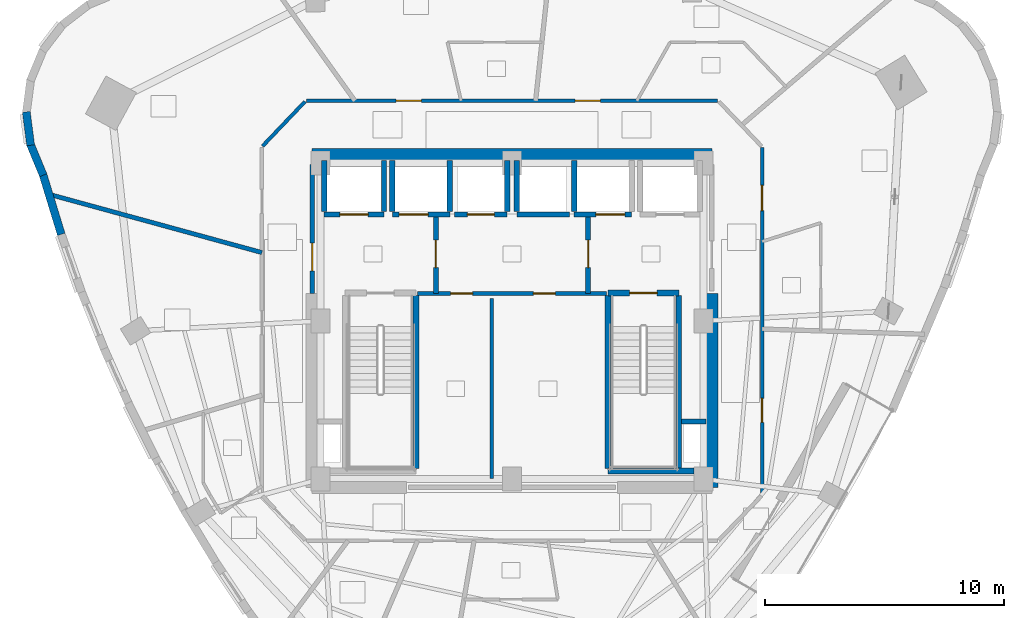
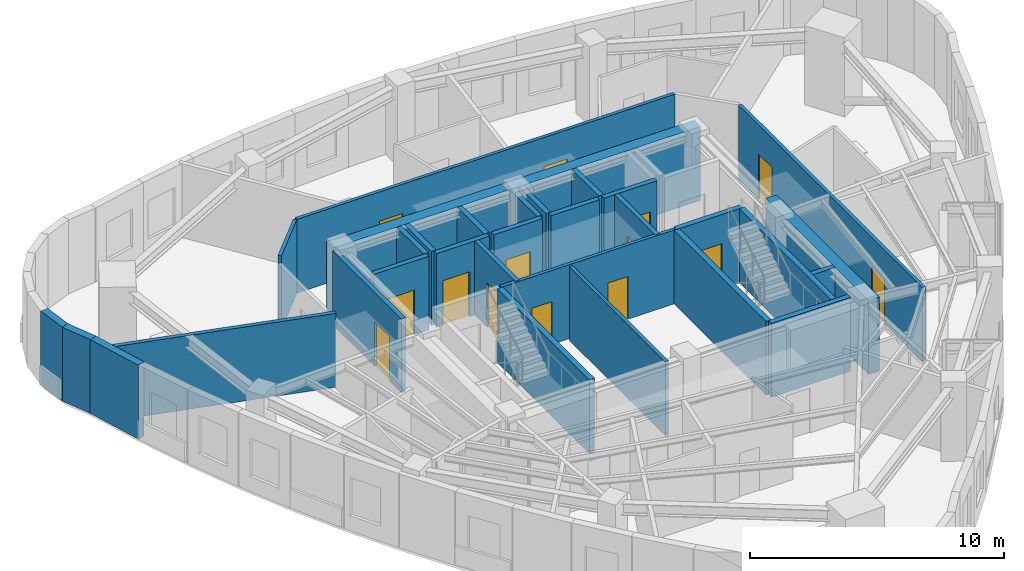
# One storey, part 7 of 12: 32 walls, 14 doors, 14 openings.
"""IFC4 building model written with IfcOpenShell, lengths in metres."""

from ifc_helpers import new_model, si_unit, direction, frame, frame_2d, origin, place, context, subcontext, project, spatial, rectangle, extrude, material, layer, layer_set, type_object, element, fill, save


model = new_model("IFC4")

# Units and contexts
model_context = context("Model", 3, precision=1e-05, world=origin(), true_north=direction((0.0, 1.0)))
body_context = subcontext(model_context, "Body", "Model", "MODEL_VIEW")
ifc_project = project(units=[si_unit("LENGTHUNIT", "METRE"), si_unit("AREAUNIT", "SQUARE_METRE"), si_unit("VOLUMEUNIT", "CUBIC_METRE"), si_unit("PLANEANGLEUNIT", "RADIAN"), si_unit("MASSUNIT", "GRAM", prefix="KILO")], contexts=[model_context])

# Site, building, storey
site_placement = place(None, origin())
site = spatial("IfcSite", under=ifc_project, at=site_placement, CompositionType="ELEMENT")
building_placement = place(site_placement, origin())
building = spatial("IfcBuilding", under=site, at=building_placement, Name="Ndelora Gate Hotel", CompositionType="ELEMENT")
storey_placement = place(building_placement, frame((0.0, 0.0, 213.14990234375)))
storey = spatial("IfcBuildingStorey", under=building, at=storey_placement, Name="L53", CompositionType="ELEMENT", Elevation=213.14990234375)

# Walls
ifc_material_1 = material(Name="Acoustic Double-Stud Gypsum Assembly", Category="gypsum")
ifc_layer_1 = layer(ifc_material_1, 0.179931640625)
ifc_layer_set_1 = layer_set([ifc_layer_1], Name="Acoustic Double-Stud Gypsum Assembly")
wall_type_1 = type_object("IfcWallType", Name="WL-ACOUST-180", PredefinedType="PARTITIONING", material=ifc_layer_set_1)
wall_1_placement = place(storey_placement, frame((-10.449951171875, 2.860107421875, 0.0), z_axis=(0.0, 0.0, 1.0), x_axis=(-0.964534389735, 0.26395721437, 0.0)))
element("IfcWall", 1, at=wall_1_placement, inside=storey, type_object=wall_type_1, Name="L53 Interior Wall IW-3", PredefinedType="PARTITIONING", context=body_context, shape_type="SweptSolid", body=[
    extrude(rectangle(XDim=9.223388671875, YDim=0.179931640625, at=frame_2d((4.61181640625, 0.0))), origin(), (0.0, 0.0, 1.0), 3.550048828125),
])
ifc_material_2 = material(Name="Clay Brick Masonry", Category="masonry")
ifc_layer_2 = layer(ifc_material_2, 0.330078125)
ifc_layer_set_2 = layer_set([ifc_layer_2], Name="Clay Brick Masonry")
wall_type_2 = type_object("IfcWallType", Name="WL-BRICK-330", PredefinedType="SOLIDWALL", material=ifc_layer_set_2)
for number, where, z_axis, x_axis, name in (
    (2, (-20.11279296875, 7.343505859375, 0.0), (0.0, 0.0, 1.0), (-0.130607061093, 0.991434211429, 0.0), "L53 Tower Brick Pier-and-Spandrel Wall TWR-7"),
    (3, (-19.587158203125, 6.091064453125, 0.0), (0.0, 0.0, 1.0), (-0.382668413767, 0.923885753275, 0.0), "L53 Tower Brick Pier-and-Spandrel Wall TWR-8"),
):
    element("IfcWall", number, at=place(storey_placement, frame(where, z_axis=z_axis, x_axis=x_axis)), inside=storey, type_object=wall_type_2, Name=name, PredefinedType="SOLIDWALL", context=body_context, shape_type="SweptSolid", body=[
        extrude(rectangle(XDim=1.407470703125, YDim=0.330078125, at=frame_2d((0.70361328125, 0.0))), origin(), (0.0, 0.0, 1.0), 3.550048828125),
    ])
wall_2_placement = place(storey_placement, frame((-18.83447265625, 3.621337890625, 0.0), z_axis=(0.0, 0.0, 1.0), x_axis=(-0.292416512209, 0.956291055792, 0.0)))
element("IfcWall", 4, at=wall_2_placement, inside=storey, type_object=wall_type_2, Name="L53 Tower Brick Pier-and-Spandrel Wall TWR-9", PredefinedType="SOLIDWALL", context=body_context, shape_type="SweptSolid", body=[
    extrude(rectangle(XDim=2.631591796875, YDim=0.330078125, at=frame_2d((1.31591796875, 0.0))), origin(), (0.0, 0.0, 1.0), 3.550048828125),
])
ifc_material_3 = material(Name="Concrete C50/60", Category="concrete")
ifc_layer_3 = layer(ifc_material_3, 0.5)
ifc_layer_set_3 = layer_set([ifc_layer_3], Name="Concrete C50/60")
wall_type_3 = type_object("IfcWallType", Name="WL-CORE-500", PredefinedType="SHEAR", material=ifc_layer_set_3)
wall_3_placement = place(storey_placement, frame((-8.35009765625, 6.949951171875, 0.0), z_axis=(0.0, 0.0, 1.0), x_axis=(1.0, 0.0, 0.0)))
element("IfcWall", 5, at=wall_3_placement, inside=storey, type_object=wall_type_3, Name="L53 Core Shear Wall N", PredefinedType="SHEAR", context=body_context, shape_type="SweptSolid", body=[
    extrude(rectangle(XDim=16.7001953125, YDim=0.5, at=frame_2d((8.35009765625, 0.0))), origin(), (0.0, 0.0, 1.0), 3.550048828125),
])
wall_4_placement = place(storey_placement, frame((8.35009765625, -6.949951171875, 0.0), z_axis=(0.0, 0.0, 1.0), x_axis=(0.0, 1.0, 0.0)))
element("IfcWall", 6, at=wall_4_placement, inside=storey, type_object=wall_type_3, Name="L53 Core Shear Wall E", PredefinedType="SHEAR", context=body_context, shape_type="SweptSolid", body=[
    extrude(rectangle(XDim=8.099853515625, YDim=0.5, at=frame_2d((4.0498046875, 0.0))), origin(), (0.0, 0.0, 1.0), 3.550048828125),
])

# Wall, opening, door
ifc_material_4 = material(Name="Concrete C40/50", Category="concrete")
ifc_layer_4 = layer(ifc_material_4, 0.199951171875)
ifc_layer_set_4 = layer_set([ifc_layer_4], Name="Concrete C40/50")
wall_type_4 = type_object("IfcWallType", Name="WL-FIRE-200", PredefinedType="PARTITIONING", material=ifc_layer_set_4)
wall_5_placement = place(storey_placement, frame((-3.179931640625, 1.14990234375, 0.0), z_axis=(0.0, 0.0, 1.0), x_axis=(0.0, 1.0, 0.0)))
wall_5 = element("IfcWall", 7, at=wall_5_placement, inside=storey, type_object=wall_type_4, Name="L53 Interior Wall IW-2", PredefinedType="PARTITIONING", context=body_context, shape_type="SweptSolid", body=[
    extrude(rectangle(XDim=3.300048828125, YDim=0.199951171875, at=frame_2d((1.64990234375, 0.0))), origin(), (0.0, 0.0, 1.0), 3.550048828125),
])
opening_1_placement = place(wall_5_placement, frame((1.080078125, 0.0, 0.0)))
opening_1 = element("IfcOpeningElement", 8, at=opening_1_placement, cuts=wall_5, Name="Opening FD1", PredefinedType="OPENING", context=body_context, shape_type="SweptSolid", body=[
    extrude(rectangle(XDim=1.14990234375, YDim=2.14990234375, at=frame_2d((0.574951171875, 1.074951171875))), frame((0.0, 0.10986328125, 0.0), z_axis=(0.0, -1.0, 0.0), x_axis=(1.0, 0.0, 0.0)), (0.0, 0.0, 1.0), 0.219970703125),
])
ifc_material_5 = material(Name="Fire-Rated Timber-Veneer Steel Core", Category="steel")
door_type_1 = type_object("IfcDoorType", Name="DR-FD60", OperationType="SINGLE_SWING_LEFT", PredefinedType="DOOR", material=ifc_material_5)
door_1_placement = place(opening_1_placement, origin())
door_1 = element("IfcDoor", 9, at=door_1_placement, inside=storey, type_object=door_type_1, Name="L53 Firefighting Lobby West Door", OperationType="SINGLE_SWING_RIGHT", OverallHeight=2.14990234375, OverallWidth=1.14990234375, PredefinedType="DOOR", context=body_context, shape_type="SweptSolid", body=[
    extrude(rectangle(XDim=1.14990234375, YDim=2.14990234375, at=frame_2d((0.574951171875, 1.074951171875))), frame((0.0, 0.02490234375, 0.0), z_axis=(0.0, -1.0, 0.0), x_axis=(1.0, 0.0, 0.0)), (0.0, 0.0, 1.0), 0.050048828125),
])
fill(opening_1, door_1)

wall_6_placement = place(storey_placement, frame((3.179931640625, 1.14990234375, 0.0), z_axis=(0.0, 0.0, 1.0), x_axis=(0.0, 1.0, 0.0)))
wall_6 = element("IfcWall", 10, at=wall_6_placement, inside=storey, type_object=wall_type_4, Name="L53 Interior Wall IW-2", PredefinedType="PARTITIONING", context=body_context, shape_type="SweptSolid", body=[
    extrude(rectangle(XDim=3.300048828125, YDim=0.199951171875, at=frame_2d((1.64990234375, 0.0))), origin(), (0.0, 0.0, 1.0), 3.550048828125),
])
opening_2_placement = place(wall_6_placement, frame((1.080078125, 0.0, 0.0)))
opening_2 = element("IfcOpeningElement", 11, at=opening_2_placement, cuts=wall_6, Name="Opening FD1", PredefinedType="OPENING", context=body_context, shape_type="SweptSolid", body=[
    extrude(rectangle(XDim=1.14990234375, YDim=2.14990234375, at=frame_2d((0.574951171875, 1.074951171875))), frame((0.0, 0.10986328125, 0.0), z_axis=(0.0, -1.0, 0.0), x_axis=(1.0, 0.0, 0.0)), (0.0, 0.0, 1.0), 0.219970703125),
])
door_2_placement = place(opening_2_placement, origin())
door_2 = element("IfcDoor", 12, at=door_2_placement, inside=storey, type_object=door_type_1, Name="L53 Firefighting Lobby East Door", OperationType="SINGLE_SWING_LEFT", OverallHeight=2.14990234375, OverallWidth=1.14990234375, PredefinedType="DOOR", context=body_context, shape_type="SweptSolid", body=[
    extrude(rectangle(XDim=1.14990234375, YDim=2.14990234375, at=frame_2d((0.574951171875, 1.074951171875))), frame((0.0, 0.02490234375, 0.0), z_axis=(0.0, -1.0, 0.0), x_axis=(1.0, 0.0, 0.0)), (0.0, 0.0, 1.0), 0.050048828125),
])
fill(opening_2, door_2)

wall_7_placement = place(storey_placement, frame((-8.35009765625, 1.14990234375, 0.0), z_axis=(0.0, 0.0, 1.0), x_axis=(0.0, 1.0, 0.0)))
wall_7 = element("IfcWall", 13, at=wall_7_placement, inside=storey, type_object=wall_type_4, Name="L53 Interior Wall IW-2", PredefinedType="PARTITIONING", context=body_context, shape_type="SweptSolid", body=[
    extrude(rectangle(XDim=5.400146484375, YDim=0.199951171875, at=frame_2d((2.7001953125, 0.0))), origin(), (0.0, 0.0, 1.0), 3.550048828125),
])
opening_3_placement = place(wall_7_placement, frame((0.949951171875, 0.0, 0.0)))
opening_3 = element("IfcOpeningElement", 14, at=opening_3_placement, cuts=wall_7, Name="Opening FD1", PredefinedType="OPENING", context=body_context, shape_type="SweptSolid", body=[
    extrude(rectangle(XDim=1.14990234375, YDim=2.14990234375, at=frame_2d((0.574951171875, 1.074951171875))), frame((0.0, 0.10986328125, 0.0), z_axis=(0.0, -1.0, 0.0), x_axis=(1.0, 0.0, 0.0)), (0.0, 0.0, 1.0), 0.219970703125),
])
door_3_placement = place(opening_3_placement, origin())
door_3 = element("IfcDoor", 15, at=door_3_placement, inside=storey, type_object=door_type_1, Name="L53 Firefighting Lobby West Corridor Door", OperationType="SINGLE_SWING_LEFT", OverallHeight=2.14990234375, OverallWidth=1.14990234375, PredefinedType="DOOR", context=body_context, shape_type="SweptSolid", body=[
    extrude(rectangle(XDim=1.14990234375, YDim=2.14990234375, at=frame_2d((0.574951171875, 1.074951171875))), frame((0.0, 0.02490234375, 0.0), z_axis=(0.0, -1.0, 0.0), x_axis=(1.0, 0.0, 0.0)), (0.0, 0.0, 1.0), 0.050048828125),
])
fill(opening_3, door_3)

# Wall, openings, doors
ifc_material_6 = material(Name="Fire-Rated Gypsum Stud Partition", Category="gypsum")
ifc_layer_5 = layer(ifc_material_6, 0.14990234375)
ifc_layer_set_5 = layer_set([ifc_layer_5], Name="Fire-Rated Gypsum Stud Partition")
wall_type_5 = type_object("IfcWallType", Name="WL-PART-150", PredefinedType="PARTITIONING", material=ifc_layer_set_5)
wall_8_placement = place(storey_placement, frame((3.949951171875, 1.14990234375, 0.0), z_axis=(0.0, 0.0, 1.0), x_axis=(-1.0, 0.0, 0.0)))
wall_8 = element("IfcWall", 16, at=wall_8_placement, inside=storey, type_object=wall_type_5, Name="L53 Interior Wall IW-5", PredefinedType="PARTITIONING", context=body_context, shape_type="SweptSolid", body=[
    extrude(rectangle(XDim=7.89990234375, YDim=0.14990234375, at=frame_2d((3.949951171875, 0.0))), origin(), (0.0, 0.0, 1.0), 3.550048828125),
])
opening_4_placement = place(wall_8_placement, frame((5.590087890625, 0.0, 0.0)))
opening_4 = element("IfcOpeningElement", 17, at=opening_4_placement, cuts=wall_8, Name="Opening D04", PredefinedType="OPENING", context=body_context, shape_type="SweptSolid", body=[
    extrude(rectangle(XDim=0.919921875, YDim=2.050048828125, at=frame_2d((0.4599609375, 1.02490234375))), frame((0.0, 0.0849609375, 0.0), z_axis=(0.0, -1.0, 0.0), x_axis=(1.0, 0.0, 0.0)), (0.0, 0.0, 1.0), 0.169921875),
])
opening_5_placement = place(wall_8_placement, frame((2.139892578125, 0.0, 0.0)))
opening_5 = element("IfcOpeningElement", 18, at=opening_5_placement, cuts=wall_8, Name="Opening D04", PredefinedType="OPENING", context=body_context, shape_type="SweptSolid", body=[
    extrude(rectangle(XDim=0.919921875, YDim=2.050048828125, at=frame_2d((0.4599609375, 1.02490234375))), frame((0.0, 0.0849609375, 0.0), z_axis=(0.0, -1.0, 0.0), x_axis=(1.0, 0.0, 0.0)), (0.0, 0.0, 1.0), 0.169921875),
])
ifc_material_7 = material(Name="Painted Steel Core Service Door", Category="steel")
door_type_2 = type_object("IfcDoorType", Name="DR-SER-920", OperationType="SINGLE_SWING_LEFT", PredefinedType="DOOR", material=ifc_material_7)
door_4_placement = place(opening_4_placement, origin())
door_4 = element("IfcDoor", 19, at=door_4_placement, inside=storey, type_object=door_type_2, Name="L53 Core Electrical Switchroom Door", OperationType="SINGLE_SWING_LEFT", OverallHeight=2.050048828125, OverallWidth=0.919921875, PredefinedType="DOOR", context=body_context, shape_type="SweptSolid", body=[
    extrude(rectangle(XDim=0.919921875, YDim=2.050048828125, at=frame_2d((0.4599609375, 1.02490234375))), frame((0.0, 0.02490234375, 0.0), z_axis=(0.0, -1.0, 0.0), x_axis=(1.0, 0.0, 0.0)), (0.0, 0.0, 1.0), 0.050048828125),
])
fill(opening_4, door_4)
door_5_placement = place(opening_5_placement, origin())
door_5 = element("IfcDoor", 20, at=door_5_placement, inside=storey, type_object=door_type_2, Name="L53 Central Linen Equipment Store Door", OperationType="SINGLE_SWING_RIGHT", OverallHeight=2.050048828125, OverallWidth=0.919921875, PredefinedType="DOOR", context=body_context, shape_type="SweptSolid", body=[
    extrude(rectangle(XDim=0.919921875, YDim=2.050048828125, at=frame_2d((0.4599609375, 1.02490234375))), frame((0.0, 0.02490234375, 0.0), z_axis=(0.0, -1.0, 0.0), x_axis=(1.0, 0.0, 0.0)), (0.0, 0.0, 1.0), 0.050048828125),
])
fill(opening_5, door_5)

# Wall
wall_9_placement = place(storey_placement, frame((-0.85009765625, -6.580078125, 0.0), z_axis=(0.0, 0.0, 1.0), x_axis=(0.0, 1.0, 0.0)))
element("IfcWall", 21, at=wall_9_placement, inside=storey, type_object=wall_type_5, Name="L53 Interior Wall IW-5", PredefinedType="PARTITIONING", context=body_context, shape_type="SweptSolid", body=[
    extrude(rectangle(XDim=7.530029296875, YDim=0.14990234375, at=frame_2d((3.76513671875, 0.0))), origin(), (0.0, 0.0, 1.0), 3.550048828125),
])

# Wall, openings, doors
wall_10_placement = place(storey_placement, frame((10.449951171875, 7.239990234375, 0.0), z_axis=(0.0, 0.0, 1.0), x_axis=(0.0, -1.0, 0.0)))
wall_10 = element("IfcWall", 22, at=wall_10_placement, inside=storey, type_object=wall_type_5, Name="L53 Interior Wall IW-5", PredefinedType="PARTITIONING", context=body_context, shape_type="SweptSolid", body=[
    extrude(rectangle(XDim=14.47998046875, YDim=0.14990234375, at=frame_2d((7.239990234375, 0.0))), origin(), (0.0, 0.0, 1.0), 3.550048828125),
])
opening_6_placement = place(wall_10_placement, frame((10.4775390625, 0.0, 0.0)))
opening_6 = element("IfcOpeningElement", 23, at=opening_6_placement, cuts=wall_10, Name="Opening D01", PredefinedType="OPENING", context=body_context, shape_type="SweptSolid", body=[
    extrude(rectangle(XDim=1.0, YDim=2.14990234375, at=frame_2d((0.5, 1.074951171875))), frame((0.0, 0.0849609375, 0.0), z_axis=(0.0, -1.0, 0.0), x_axis=(1.0, 0.0, 0.0)), (0.0, 0.0, 1.0), 0.169921875),
])
opening_7_placement = place(wall_10_placement, frame((1.56982421875, 0.0, 0.0)))
opening_7 = element("IfcOpeningElement", 24, at=opening_7_placement, cuts=wall_10, Name="Opening D07", PredefinedType="OPENING", context=body_context, shape_type="SweptSolid", body=[
    extrude(rectangle(XDim=1.06005859375, YDim=2.14990234375, at=frame_2d((0.530029296875, 1.074951171875))), frame((0.0, 0.0849609375, 0.0), z_axis=(0.0, -1.0, 0.0), x_axis=(1.0, 0.0, 0.0)), (0.0, 0.0, 1.0), 0.169921875),
])
ifc_material_8 = material(Name="Acoustic Hardwood Guest Entrance Door", Category="wood")
door_type_3 = type_object("IfcDoorType", Name="DR-COR-1000", OperationType="SINGLE_SWING_LEFT", PredefinedType="DOOR", material=ifc_material_8)
door_6_placement = place(opening_6_placement, origin())
door_6 = element("IfcDoor", 25, at=door_6_placement, inside=storey, type_object=door_type_3, Name="L53 Sky Garden Tea Dining Room Entrance Door", OperationType="SINGLE_SWING_LEFT", OverallHeight=2.14990234375, OverallWidth=1.0, PredefinedType="DOOR", context=body_context, shape_type="SweptSolid", body=[
    extrude(rectangle(XDim=1.0, YDim=2.14990234375, at=frame_2d((0.5, 1.074951171875))), frame((0.0, 0.02490234375, 0.0), z_axis=(0.0, -1.0, 0.0), x_axis=(1.0, 0.0, 0.0)), (0.0, 0.0, 1.0), 0.050048828125),
])
fill(opening_6, door_6)
ifc_material_9 = material(Name="Diplomatic Suite Acoustic Entrance Door", Category="wood")
door_type_4 = type_object("IfcDoorType", Name="DR-SUITE-1060", OperationType="SINGLE_SWING_LEFT", PredefinedType="DOOR", material=ifc_material_9)
door_7_placement = place(opening_7_placement, origin())
door_7 = element("IfcDoor", 26, at=door_7_placement, inside=storey, type_object=door_type_4, Name="L53 Panoramic King Suite 5602 Entrance Door", OperationType="SINGLE_SWING_LEFT", OverallHeight=2.14990234375, OverallWidth=1.06005859375, PredefinedType="DOOR", context=body_context, shape_type="SweptSolid", body=[
    extrude(rectangle(XDim=1.06005859375, YDim=2.14990234375, at=frame_2d((0.530029296875, 1.074951171875))), frame((0.0, 0.02490234375, 0.0), z_axis=(0.0, -1.0, 0.0), x_axis=(1.0, 0.0, 0.0)), (0.0, 0.0, 1.0), 0.050048828125),
])
fill(opening_7, door_7)

wall_11_placement = place(storey_placement, frame((-8.580078125, 9.199951171875, 0.0), z_axis=(0.0, 0.0, 1.0), x_axis=(1.0, 0.0, 0.0)))
wall_11 = element("IfcWall", 27, at=wall_11_placement, inside=storey, type_object=wall_type_5, Name="L53 Interior Wall IW-5", PredefinedType="PARTITIONING", context=body_context, shape_type="SweptSolid", body=[
    extrude(rectangle(XDim=17.16015625, YDim=0.14990234375, at=frame_2d((8.580078125, 0.0))), origin(), (0.0, 0.0, 1.0), 3.550048828125),
])
opening_8_placement = place(wall_11_placement, frame((3.734375, 0.0, 0.0)))
opening_8 = element("IfcOpeningElement", 28, at=opening_8_placement, cuts=wall_11, Name="Opening D07", PredefinedType="OPENING", context=body_context, shape_type="SweptSolid", body=[
    extrude(rectangle(XDim=1.06005859375, YDim=2.14990234375, at=frame_2d((0.530029296875, 1.074951171875))), frame((0.0, 0.0849609375, 0.0), z_axis=(0.0, -1.0, 0.0), x_axis=(1.0, 0.0, 0.0)), (0.0, 0.0, 1.0), 0.169921875),
])
opening_9_placement = place(wall_11_placement, frame((11.21435546875, 0.0, 0.0)))
opening_9 = element("IfcOpeningElement", 29, at=opening_9_placement, cuts=wall_11, Name="Opening D07", PredefinedType="OPENING", context=body_context, shape_type="SweptSolid", body=[
    extrude(rectangle(XDim=1.06005859375, YDim=2.14990234375, at=frame_2d((0.530029296875, 1.074951171875))), frame((0.0, 0.0849609375, 0.0), z_axis=(0.0, -1.0, 0.0), x_axis=(1.0, 0.0, 0.0)), (0.0, 0.0, 1.0), 0.169921875),
])
door_8_placement = place(opening_8_placement, origin())
door_8 = element("IfcDoor", 30, at=door_8_placement, inside=storey, type_object=door_type_4, Name="L53 Panoramic Twin Suite 5604 Entrance Door", OperationType="SINGLE_SWING_RIGHT", OverallHeight=2.14990234375, OverallWidth=1.06005859375, PredefinedType="DOOR", context=body_context, shape_type="SweptSolid", body=[
    extrude(rectangle(XDim=1.06005859375, YDim=2.14990234375, at=frame_2d((0.530029296875, 1.074951171875))), frame((0.0, 0.02490234375, 0.0), z_axis=(0.0, -1.0, 0.0), x_axis=(1.0, 0.0, 0.0)), (0.0, 0.0, 1.0), 0.050048828125),
])
fill(opening_8, door_8)
door_9_placement = place(opening_9_placement, origin())
door_9 = element("IfcDoor", 31, at=door_9_placement, inside=storey, type_object=door_type_4, Name="L53 Royal Ambassador Suite 5603 Entrance Door", OperationType="SINGLE_SWING_RIGHT", OverallHeight=2.14990234375, OverallWidth=1.06005859375, PredefinedType="DOOR", context=body_context, shape_type="SweptSolid", body=[
    extrude(rectangle(XDim=1.06005859375, YDim=2.14990234375, at=frame_2d((0.530029296875, 1.074951171875))), frame((0.0, 0.02490234375, 0.0), z_axis=(0.0, -1.0, 0.0), x_axis=(1.0, 0.0, 0.0)), (0.0, 0.0, 1.0), 0.050048828125),
])
fill(opening_9, door_9)

# Walls
wall_12_placement = place(storey_placement, frame((-10.42236328125, 7.30908203125, 0.0), z_axis=(0.0, 0.0, 1.0), x_axis=(0.689960858356, 0.723846678473, 0.0)))
element("IfcWall", 32, at=wall_12_placement, inside=storey, type_object=wall_type_5, Name="L53 Interior Wall IW-5", PredefinedType="PARTITIONING", context=body_context, shape_type="SweptSolid", body=[
    extrude(rectangle(XDim=2.572021484375, YDim=0.14990234375, at=frame_2d((1.2861328125, 0.0))), origin(), (0.0, 0.0, 1.0), 3.550048828125),
])
ifc_layer_6 = layer(ifc_material_4, 0.219970703125)
ifc_layer_set_6 = layer_set([ifc_layer_6], Name="Concrete C40/50")
wall_type_6 = type_object("IfcWallType", Name="WL-SHAFT-220", PredefinedType="PARTITIONING", material=ifc_layer_set_6)
wall_13_placement = place(storey_placement, frame((7.090087890625, -4.199951171875, 0.0), z_axis=(0.0, 0.0, 1.0), x_axis=(1.0, 0.0, 0.0)))
element("IfcWall", 33, at=wall_13_placement, inside=storey, type_object=wall_type_6, Name="L53 Interior Wall IW-1", PredefinedType="PARTITIONING", context=body_context, shape_type="SweptSolid", body=[
    extrude(rectangle(XDim=1.010009765625, YDim=0.219970703125, at=frame_2d((0.5048828125, 0.0))), origin(), (0.0, 0.0, 1.0), 3.550048828125),
])

# Wall, opening, door
wall_14_placement = place(storey_placement, frame((-7.85009765625, 4.449951171875, 0.0), z_axis=(0.0, 0.0, 1.0), x_axis=(1.0, 0.0, 0.0)))
wall_14 = element("IfcWall", 34, at=wall_14_placement, inside=storey, type_object=wall_type_6, Name="L53 Interior Wall IW-1", PredefinedType="PARTITIONING", context=body_context, shape_type="SweptSolid", body=[
    extrude(rectangle(XDim=2.5, YDim=0.219970703125, at=frame_2d((1.25, 0.0))), origin(), (0.0, 0.0, 1.0), 3.550048828125),
])
opening_10_placement = place(wall_14_placement, frame((0.659912109375, 0.0, 0.0)))
opening_10 = element("IfcOpeningElement", 35, at=opening_10_placement, cuts=wall_14, Name="Opening LD5", PredefinedType="OPENING", context=body_context, shape_type="SweptSolid", body=[
    extrude(rectangle(XDim=1.179931640625, YDim=2.14990234375, at=frame_2d((0.58984375, 1.074951171875))), frame((0.0, 0.1201171875, 0.0), z_axis=(0.0, -1.0, 0.0), x_axis=(1.0, 0.0, 0.0)), (0.0, 0.0, 1.0), 0.239990234375),
])
ifc_material_10 = material(Name="Firefighting Lift Stainless Sliding Landing Door", Category="metal")
door_type_5 = type_object("IfcDoorType", Name="DR-LD5", OperationType="DOUBLE_DOOR_SLIDING", PredefinedType="DOOR", material=ifc_material_10)
door_10_placement = place(opening_10_placement, origin())
door_10 = element("IfcDoor", 36, at=door_10_placement, inside=storey, type_object=door_type_5, Name="L53 Lift Landing Sliding Door FFL1", OperationType="DOUBLE_DOOR_SLIDING", OverallHeight=2.14990234375, OverallWidth=1.179931640625, PredefinedType="DOOR", context=body_context, shape_type="SweptSolid", body=[
    extrude(rectangle(XDim=1.179931640625, YDim=2.14990234375, at=frame_2d((0.58984375, 1.074951171875))), frame((0.0, 0.02490234375, 0.0), z_axis=(0.0, -1.0, 0.0), x_axis=(1.0, 0.0, 0.0)), (0.0, 0.0, 1.0), 0.050048828125),
])
fill(opening_10, door_10)

# Walls
wall_15_placement = place(storey_placement, frame((-7.85009765625, 4.570068359375, 0.0), z_axis=(0.0, 0.0, 1.0), x_axis=(0.0, 1.0, 0.0)))
element("IfcWall", 37, at=wall_15_placement, inside=storey, type_object=wall_type_6, Name="L53 Interior Wall IW-1", PredefinedType="PARTITIONING", context=body_context, shape_type="SweptSolid", body=[
    extrude(rectangle(XDim=2.1298828125, YDim=0.219970703125, at=frame_2d((1.06494140625, 0.0))), origin(), (0.0, 0.0, 1.0), 3.18017578125),
])
wall_16_placement = place(storey_placement, frame((-5.35009765625, 4.570068359375, 0.0), z_axis=(0.0, 0.0, 1.0), x_axis=(0.0, 1.0, 0.0)))
element("IfcWall", 38, at=wall_16_placement, inside=storey, type_object=wall_type_6, Name="L53 Interior Wall IW-1", PredefinedType="PARTITIONING", context=body_context, shape_type="SweptSolid", body=[
    extrude(rectangle(XDim=2.1298828125, YDim=0.219970703125, at=frame_2d((1.06494140625, 0.0))), origin(), (0.0, 0.0, 1.0), 3.550048828125),
])

# Wall, opening, door
wall_17_placement = place(storey_placement, frame((-5.0, 4.449951171875, 0.0), z_axis=(0.0, 0.0, 1.0), x_axis=(1.0, 0.0, 0.0)))
wall_17 = element("IfcWall", 39, at=wall_17_placement, inside=storey, type_object=wall_type_6, Name="L53 Interior Wall IW-1", PredefinedType="PARTITIONING", context=body_context, shape_type="SweptSolid", body=[
    extrude(rectangle(XDim=2.39990234375, YDim=0.219970703125, at=frame_2d((1.199951171875, 0.0))), origin(), (0.0, 0.0, 1.0), 3.550048828125),
])
opening_11_placement = place(wall_17_placement, frame((0.280029296875, 0.0, 0.0)))
opening_11 = element("IfcOpeningElement", 40, at=opening_11_placement, cuts=wall_17, Name="Opening LD6", PredefinedType="OPENING", context=body_context, shape_type="SweptSolid", body=[
    extrude(rectangle(XDim=1.219970703125, YDim=2.14990234375, at=frame_2d((0.60986328125, 1.074951171875))), frame((0.0, 0.1201171875, 0.0), z_axis=(0.0, -1.0, 0.0), x_axis=(1.0, 0.0, 0.0)), (0.0, 0.0, 1.0), 0.239990234375),
])
ifc_material_11 = material(Name="Heavy-Duty Service Lift Sliding Landing Door", Category="wood")
door_type_6 = type_object("IfcDoorType", Name="DR-LD6", OperationType="DOUBLE_DOOR_SLIDING", PredefinedType="DOOR", material=ifc_material_11)
door_11_placement = place(opening_11_placement, origin())
door_11 = element("IfcDoor", 41, at=door_11_placement, inside=storey, type_object=door_type_6, Name="L53 Lift Landing Sliding Door SVL1", OperationType="DOUBLE_DOOR_SLIDING", OverallHeight=2.14990234375, OverallWidth=1.219970703125, PredefinedType="DOOR", context=body_context, shape_type="SweptSolid", body=[
    extrude(rectangle(XDim=1.219970703125, YDim=2.14990234375, at=frame_2d((0.60986328125, 1.074951171875))), frame((0.0, 0.02490234375, 0.0), z_axis=(0.0, -1.0, 0.0), x_axis=(1.0, 0.0, 0.0)), (0.0, 0.0, 1.0), 0.050048828125),
])
fill(opening_11, door_11)

# Walls
for number, where, z_axis, x_axis, name in (
    (42, (-5.0, 4.570068359375, 0.0), (0.0, 0.0, 1.0), (0.0, 1.0, 0.0), "L53 Interior Wall IW-1"),
    (43, (-2.60009765625, 4.570068359375, 0.0), (0.0, 0.0, 1.0), (0.0, 1.0, 0.0), "L53 Interior Wall IW-1"),
):
    element("IfcWall", number, at=place(storey_placement, frame(where, z_axis=z_axis, x_axis=x_axis)), inside=storey, type_object=wall_type_6, Name=name, PredefinedType="PARTITIONING", context=body_context, shape_type="SweptSolid", body=[
        extrude(rectangle(XDim=2.1298828125, YDim=0.219970703125, at=frame_2d((1.06494140625, 0.0))), origin(), (0.0, 0.0, 1.0), 3.550048828125),
    ])

# Wall, opening, door
wall_18_placement = place(storey_placement, frame((2.60009765625, 4.449951171875, 0.0), z_axis=(0.0, 0.0, 1.0), x_axis=(1.0, 0.0, 0.0)))
wall_18 = element("IfcWall", 44, at=wall_18_placement, inside=storey, type_object=wall_type_6, Name="L53 Interior Wall IW-1", PredefinedType="PARTITIONING", context=body_context, shape_type="SweptSolid", body=[
    extrude(rectangle(XDim=2.39990234375, YDim=0.219970703125, at=frame_2d((1.199951171875, 0.0))), origin(), (0.0, 0.0, 1.0), 3.550048828125),
])
opening_12_placement = place(wall_18_placement, frame((0.89990234375, 0.0, 0.0)))
opening_12 = element("IfcOpeningElement", 45, at=opening_12_placement, cuts=wall_18, Name="Opening LD6", PredefinedType="OPENING", context=body_context, shape_type="SweptSolid", body=[
    extrude(rectangle(XDim=1.219970703125, YDim=2.14990234375, at=frame_2d((0.60986328125, 1.074951171875))), frame((0.0, 0.1201171875, 0.0), z_axis=(0.0, -1.0, 0.0), x_axis=(1.0, 0.0, 0.0)), (0.0, 0.0, 1.0), 0.239990234375),
])
door_12_placement = place(opening_12_placement, origin())
door_12 = element("IfcDoor", 46, at=door_12_placement, inside=storey, type_object=door_type_6, Name="L53 Lift Landing Sliding Door SVL2", OperationType="DOUBLE_DOOR_SLIDING", OverallHeight=2.14990234375, OverallWidth=1.219970703125, PredefinedType="DOOR", context=body_context, shape_type="SweptSolid", body=[
    extrude(rectangle(XDim=1.219970703125, YDim=2.14990234375, at=frame_2d((0.60986328125, 1.074951171875))), frame((0.0, 0.02490234375, 0.0), z_axis=(0.0, -1.0, 0.0), x_axis=(1.0, 0.0, 0.0)), (0.0, 0.0, 1.0), 0.050048828125),
])
fill(opening_12, door_12)

# Wall
wall_19_placement = place(storey_placement, frame((2.60009765625, 4.570068359375, 0.0), z_axis=(0.0, 0.0, 1.0), x_axis=(0.0, 1.0, 0.0)))
element("IfcWall", 47, at=wall_19_placement, inside=storey, type_object=wall_type_6, Name="L53 Interior Wall IW-1", PredefinedType="PARTITIONING", context=body_context, shape_type="SweptSolid", body=[
    extrude(rectangle(XDim=2.1298828125, YDim=0.219970703125, at=frame_2d((1.06494140625, 0.0))), origin(), (0.0, 0.0, 1.0), 3.550048828125),
])

# Wall, opening, door
wall_20_placement = place(storey_placement, frame((-2.39990234375, 4.449951171875, 0.0), z_axis=(0.0, 0.0, 1.0), x_axis=(1.0, 0.0, 0.0)))
wall_20 = element("IfcWall", 48, at=wall_20_placement, inside=storey, type_object=wall_type_6, Name="L53 Interior Wall IW-1", PredefinedType="PARTITIONING", context=body_context, shape_type="SweptSolid", body=[
    extrude(rectangle(XDim=2.199951171875, YDim=0.219970703125, at=frame_2d((1.10009765625, 0.0))), origin(), (0.0, 0.0, 1.0), 3.550048828125),
])
opening_13_placement = place(wall_20_placement, frame((0.5400390625, 0.0, 0.0)))
opening_13 = element("IfcOpeningElement", 49, at=opening_13_placement, cuts=wall_20, Name="Opening LD3", PredefinedType="OPENING", context=body_context, shape_type="SweptSolid", body=[
    extrude(rectangle(XDim=1.1201171875, YDim=2.14990234375, at=frame_2d((0.56005859375, 1.074951171875))), frame((0.0, 0.1201171875, 0.0), z_axis=(0.0, -1.0, 0.0), x_axis=(1.0, 0.0, 0.0)), (0.0, 0.0, 1.0), 0.239990234375),
])
ifc_material_12 = material(Name="Brushed Bronze Stainless Lift Landing Door", Category="metal")
door_type_7 = type_object("IfcDoorType", Name="DR-LD3", OperationType="DOUBLE_DOOR_SLIDING", PredefinedType="DOOR", material=ifc_material_12)
door_13_placement = place(opening_13_placement, origin())
door_13 = element("IfcDoor", 50, at=door_13_placement, inside=storey, type_object=door_type_7, Name="L53 Lift Landing Sliding Door P3A", OperationType="DOUBLE_DOOR_SLIDING", OverallHeight=2.14990234375, OverallWidth=1.1201171875, PredefinedType="DOOR", context=body_context, shape_type="SweptSolid", body=[
    extrude(rectangle(XDim=1.1201171875, YDim=2.14990234375, at=frame_2d((0.56005859375, 1.074951171875))), frame((0.0, 0.02490234375, 0.0), z_axis=(0.0, -1.0, 0.0), x_axis=(1.0, 0.0, 0.0)), (0.0, 0.0, 1.0), 0.050048828125),
])
fill(opening_13, door_13)

# Walls
wall_21_placement = place(storey_placement, frame((-0.199951171875, 4.570068359375, 0.0), z_axis=(0.0, 0.0, 1.0), x_axis=(0.0, 1.0, 0.0)))
element("IfcWall", 51, at=wall_21_placement, inside=storey, type_object=wall_type_6, Name="L53 Interior Wall IW-1", PredefinedType="PARTITIONING", context=body_context, shape_type="SweptSolid", body=[
    extrude(rectangle(XDim=2.1298828125, YDim=0.219970703125, at=frame_2d((1.06494140625, 0.0))), origin(), (0.0, 0.0, 1.0), 3.550048828125),
])
wall_22_placement = place(storey_placement, frame((0.199951171875, 4.449951171875, 0.0), z_axis=(0.0, 0.0, 1.0), x_axis=(1.0, 0.0, 0.0)))
element("IfcWall", 52, at=wall_22_placement, inside=storey, type_object=wall_type_6, Name="L53 Interior Wall IW-1", PredefinedType="PARTITIONING", context=body_context, shape_type="SweptSolid", body=[
    extrude(rectangle(XDim=2.199951171875, YDim=0.219970703125, at=frame_2d((1.10009765625, 0.0))), origin(), (0.0, 0.0, 1.0), 3.550048828125),
])
wall_23_placement = place(storey_placement, frame((0.199951171875, 4.570068359375, 0.0), z_axis=(0.0, 0.0, 1.0), x_axis=(0.0, 1.0, 0.0)))
element("IfcWall", 53, at=wall_23_placement, inside=storey, type_object=wall_type_6, Name="L53 Interior Wall IW-1", PredefinedType="PARTITIONING", context=body_context, shape_type="SweptSolid", body=[
    extrude(rectangle(XDim=2.1298828125, YDim=0.219970703125, at=frame_2d((1.06494140625, 0.0))), origin(), (0.0, 0.0, 1.0), 3.550048828125),
])
ifc_layer_7 = layer(ifc_material_3, 0.239990234375)
ifc_layer_set_7 = layer_set([ifc_layer_7], Name="Concrete C50/60")
wall_type_7 = type_object("IfcWallType", Name="WL-STAIR-240", PredefinedType="SHEAR", material=ifc_layer_set_7)
for number, where, z_axis, x_axis, name in (
    (54, (-4.010009765625, -6.159912109375, 0.0), (0.0, 0.0, 1.0), (0.0, 1.0, 0.0), "L53 Stair Core Shear Wall SW-ST"),
    (55, (4.010009765625, -6.159912109375, 0.0), (0.0, 0.0, 1.0), (0.0, 1.0, 0.0), "L53 Stair Core Shear Wall SW-ST"),
    (56, (6.969970703125, -6.159912109375, 0.0), (0.0, 0.0, 1.0), (0.0, 1.0, 0.0), "L53 Stair Core Shear Wall SW-ST"),
):
    element("IfcWall", number, at=place(storey_placement, frame(where, z_axis=z_axis, x_axis=x_axis)), inside=storey, type_object=wall_type_7, Name=name, PredefinedType="SHEAR", context=body_context, shape_type="SweptSolid", body=[
        extrude(rectangle(XDim=7.219970703125, YDim=0.239990234375, at=frame_2d((3.60986328125, 0.0))), origin(), (0.0, 0.0, 1.0), 3.550048828125),
    ])
wall_24_placement = place(storey_placement, frame((4.010009765625, -6.27001953125, 0.0), z_axis=(0.0, 0.0, 1.0), x_axis=(1.0, 0.0, 0.0)))
element("IfcWall", 57, at=wall_24_placement, inside=storey, type_object=wall_type_7, Name="L53 Stair Core Shear Wall SW-ST", PredefinedType="SHEAR", context=body_context, shape_type="SweptSolid", body=[
    extrude(rectangle(XDim=3.590087890625, YDim=0.239990234375, at=frame_2d((1.794921875, 0.0))), origin(), (0.0, 0.0, 1.0), 3.550048828125),
])

# Wall, opening, door
wall_25_placement = place(storey_placement, frame((4.010009765625, 1.169921875, 0.0), z_axis=(0.0, 0.0, 1.0), x_axis=(1.0, 0.0, 0.0)))
wall_25 = element("IfcWall", 58, at=wall_25_placement, inside=storey, type_object=wall_type_7, Name="L53 Stair Core Shear Wall SW-ST", PredefinedType="SHEAR", context=body_context, shape_type="SweptSolid", body=[
    extrude(rectangle(XDim=2.9599609375, YDim=0.239990234375, at=frame_2d((1.47998046875, 0.0))), origin(), (0.0, 0.0, 1.0), 3.550048828125),
])
opening_14_placement = place(wall_25_placement, frame((0.89990234375, 0.0, 0.0)))
opening_14 = element("IfcOpeningElement", 59, at=opening_14_placement, cuts=wall_25, Name="Opening FD1", PredefinedType="OPENING", context=body_context, shape_type="SweptSolid", body=[
    extrude(rectangle(XDim=1.14990234375, YDim=2.14990234375, at=frame_2d((0.574951171875, 1.074951171875))), frame((0.0, 0.1298828125, 0.0), z_axis=(0.0, -1.0, 0.0), x_axis=(1.0, 0.0, 0.0)), (0.0, 0.0, 1.0), 0.260009765625),
])
door_14_placement = place(opening_14_placement, origin())
door_14 = element("IfcDoor", 60, at=door_14_placement, inside=storey, type_object=door_type_1, Name="L53 Exit Stair ST5 Door", OperationType="SINGLE_SWING_RIGHT", OverallHeight=2.14990234375, OverallWidth=1.14990234375, PredefinedType="DOOR", context=body_context, shape_type="SweptSolid", body=[
    extrude(rectangle(XDim=1.14990234375, YDim=2.14990234375, at=frame_2d((0.574951171875, 1.074951171875))), frame((0.0, 0.02490234375, 0.0), z_axis=(0.0, -1.0, 0.0), x_axis=(1.0, 0.0, 0.0)), (0.0, 0.0, 1.0), 0.050048828125),
])
fill(opening_14, door_14)

save(model, "model.ifc")
